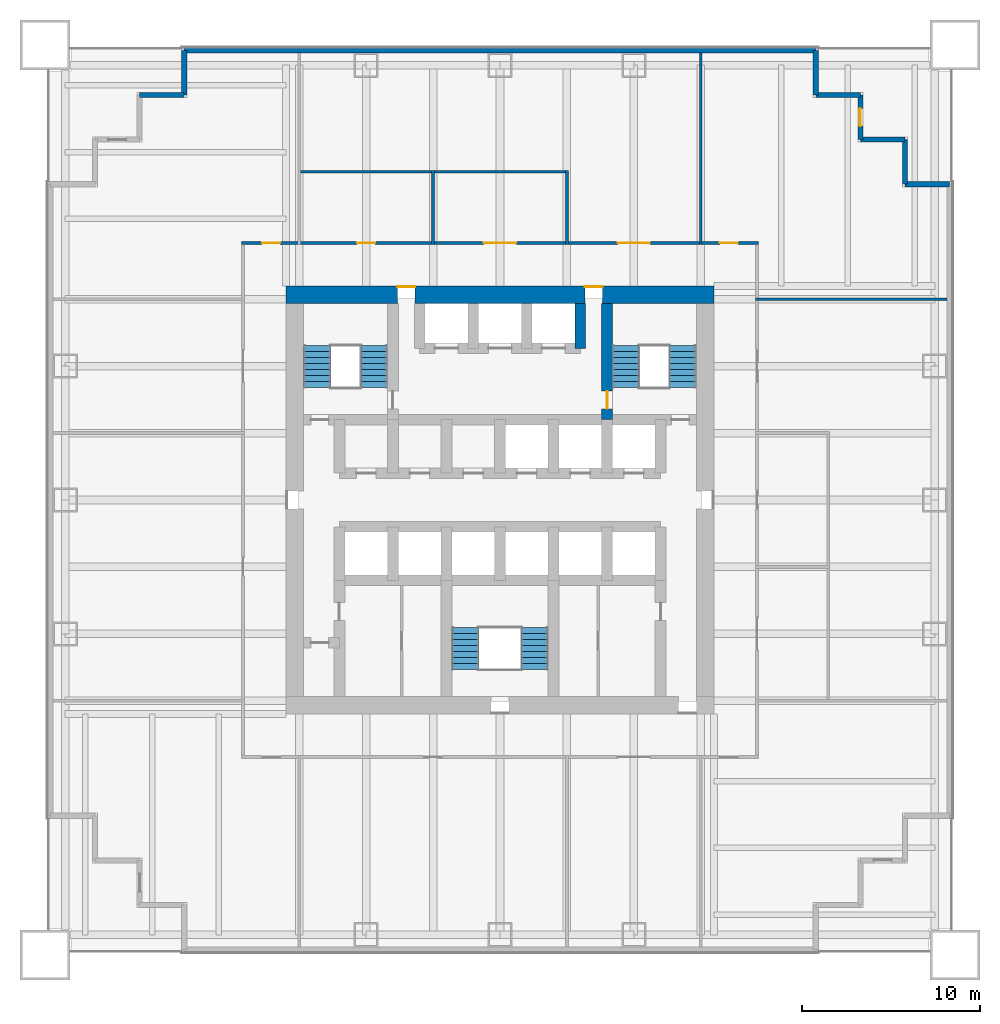
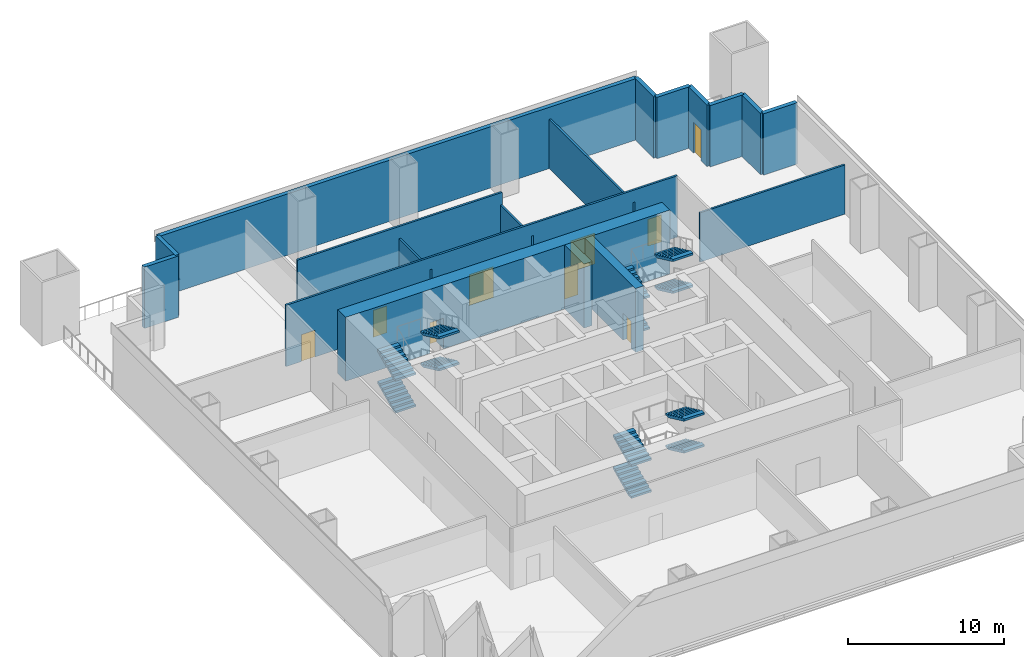
# One storey, part 4 of 6: 18 walls, 12 stair flights, 9 doors, 9 openings, 3 elements without a shape of their own.
"""IFC4 building model written with IfcOpenShell, lengths in metres."""

from ifc_helpers import new_model, si_unit, direction, frame, frame_2d, origin, place, context, subcontext, project, spatial, polyline, rectangle, outline, extrude, material, layer, layer_set, type_object, element, fill, aggregate, save


model = new_model("IFC4")

# Units and contexts
model_context = context("Model", 3, precision=1e-05, world=origin(), true_north=direction((0.0, 1.0)))
body_context = subcontext(model_context, "Body", "Model", "MODEL_VIEW")
ifc_project = project(units=[si_unit("LENGTHUNIT", "METRE"), si_unit("AREAUNIT", "SQUARE_METRE"), si_unit("VOLUMEUNIT", "CUBIC_METRE"), si_unit("PLANEANGLEUNIT", "RADIAN"), si_unit("MASSUNIT", "GRAM", prefix="KILO")], contexts=[model_context])

# Site, building, storey
site_placement = place(None, origin())
site = spatial("IfcSite", under=ifc_project, at=site_placement, CompositionType="ELEMENT")
building_placement = place(site_placement, origin())
building = spatial("IfcBuilding", under=site, at=building_placement, Name="Tarangal Relay Tower", CompositionType="ELEMENT")
storey_placement = place(building_placement, frame((0.0, 0.0, 48.39990234375)))
storey = spatial("IfcBuildingStorey", under=building, at=storey_placement, Name="L09", CompositionType="ELEMENT", Elevation=48.39990234375)

# Wall, opening, door
ifc_material_1 = material(Name="Concrete fc' 60 MPa", Category="concrete")
ifc_layer_1 = layer(ifc_material_1, 0.60009765625)
ifc_layer_set_1 = layer_set([ifc_layer_1], Name="Core inner wall 600")
wall_type_1 = type_object("IfcWallType", Name="Core inner wall 600", PredefinedType="SHEAR", material=ifc_layer_set_1)
wall_1_placement = place(storey_placement, frame((6.0, 4.5, 0.0), z_axis=(0.0, 0.0, 1.0), x_axis=(0.0, 1.0, 0.0)))
wall_1 = element("IfcWall", 1, at=wall_1_placement, inside=storey, type_object=wall_type_1, Name="Core wall X6 L09", PredefinedType="SHEAR", context=body_context, shape_type="SweptSolid", body=[
    extrude(rectangle(XDim=6.5, YDim=0.60009765625, at=frame_2d((3.25, 0.0))), origin(), (0.0, 0.0, 1.0), 5.0),
])
opening_1_placement = place(wall_1_placement, frame((0.60009765625, 0.0, 0.0)))
opening_1 = element("IfcOpeningElement", 2, at=opening_1_placement, cuts=wall_1, Name="Opening FD1", PredefinedType="OPENING", context=body_context, shape_type="SweptSolid", body=[
    extrude(rectangle(XDim=1.0, YDim=2.10009765625, at=frame_2d((0.5, 1.050048828125))), frame((0.0, 0.31005859375, 0.0), z_axis=(0.0, -1.0, 0.0), x_axis=(1.0, 0.0, 0.0)), (0.0, 0.0, 1.0), 0.6201171875),
])
ifc_material_2 = material(Name="Steel door with hardwood frame", Category="steel")
door_type_1 = type_object("IfcDoorType", Name="Fire door 1000 x 2100", OperationType="SINGLE_SWING_LEFT", PredefinedType="DOOR", material=ifc_material_2)
door_1_placement = place(opening_1_placement, origin())
door_1 = element("IfcDoor", 3, at=door_1_placement, inside=storey, type_object=door_type_1, Name="Stair ST-B door from fire-fighting lobby L09", OperationType="SINGLE_SWING_LEFT", OverallHeight=2.10009765625, OverallWidth=1.0, PredefinedType="DOOR", context=body_context, shape_type="SweptSolid", body=[
    extrude(rectangle(XDim=1.0, YDim=2.10009765625, at=frame_2d((0.5, 1.050048828125))), frame((0.0, 0.02490234375, 0.0), z_axis=(0.0, -1.0, 0.0), x_axis=(1.0, 0.0, 0.0)), (0.0, 0.0, 1.0), 0.050048828125),
])
fill(opening_1, door_1)

# Wall
wall_2_placement = place(storey_placement, frame((4.5, 8.5, 0.0), z_axis=(0.0, 0.0, 1.0), x_axis=(0.0, 1.0, 0.0)))
element("IfcWall", 4, at=wall_2_placement, inside=storey, type_object=wall_type_1, Name="Core wall X45 L09", PredefinedType="SHEAR", context=body_context, shape_type="SweptSolid", body=[
    extrude(rectangle(XDim=2.5, YDim=0.60009765625, at=frame_2d((1.25, 0.0))), origin(), (0.0, 0.0, 1.0), 5.0),
])

# Wall, openings, doors
ifc_layer_2 = layer(ifc_material_1, 1.0)
ifc_layer_set_2 = layer_set([ifc_layer_2], Name="Core wall 1000")
wall_type_2 = type_object("IfcWallType", Name="Core wall 1000", PredefinedType="SHEAR", material=ifc_layer_set_2)
wall_3_placement = place(storey_placement, frame((-12.0, 11.5, 0.0), z_axis=(0.0, 0.0, 1.0), x_axis=(1.0, 0.0, 0.0)))
wall_3 = element("IfcWall", 5, at=wall_3_placement, inside=storey, type_object=wall_type_2, Name="Core wall N L09", PredefinedType="SHEAR", context=body_context, shape_type="SweptSolid", body=[
    extrude(rectangle(XDim=24.0, YDim=1.0, at=frame_2d((12.0, 0.0))), origin(), (0.0, 0.0, 1.0), 5.0),
])
opening_2_placement = place(wall_3_placement, frame((6.25, 0.0, 0.0)))
opening_2 = element("IfcOpeningElement", 6, at=opening_2_placement, cuts=wall_3, Name="Opening FD3", PredefinedType="OPENING", context=body_context, shape_type="SweptSolid", body=[
    extrude(rectangle(XDim=1.0, YDim=2.39990234375, at=frame_2d((0.5, 1.199951171875))), frame((0.0, 0.510009765625, 0.0), z_axis=(0.0, -1.0, 0.0), x_axis=(1.0, 0.0, 0.0)), (0.0, 0.0, 1.0), 1.02001953125),
])
opening_3_placement = place(wall_3_placement, frame((16.75, 0.0, 0.0)))
opening_3 = element("IfcOpeningElement", 7, at=opening_3_placement, cuts=wall_3, Name="Opening FD3", PredefinedType="OPENING", context=body_context, shape_type="SweptSolid", body=[
    extrude(rectangle(XDim=1.0, YDim=2.39990234375, at=frame_2d((0.5, 1.199951171875))), frame((0.0, 0.510009765625, 0.0), z_axis=(0.0, -1.0, 0.0), x_axis=(1.0, 0.0, 0.0)), (0.0, 0.0, 1.0), 1.02001953125),
])
door_type_2 = type_object("IfcDoorType", Name="Fire door 1000 x 2400 core entry", OperationType="SINGLE_SWING_RIGHT", PredefinedType="DOOR", material=ifc_material_2)
door_2_placement = place(opening_2_placement, origin())
door_2 = element("IfcDoor", 8, at=door_2_placement, inside=storey, type_object=door_type_2, Name="Core entry door north west L09", OperationType="SINGLE_SWING_RIGHT", OverallHeight=2.39990234375, OverallWidth=1.0, PredefinedType="DOOR", context=body_context, shape_type="SweptSolid", body=[
    extrude(rectangle(XDim=1.0, YDim=2.39990234375, at=frame_2d((0.5, 1.199951171875))), frame((0.0, 0.48486328125, 0.0), z_axis=(0.0, -1.0, 0.0), x_axis=(1.0, 0.0, 0.0)), (0.0, 0.0, 1.0), 0.050048828125),
])
fill(opening_2, door_2)
door_3_placement = place(opening_3_placement, origin())
door_3 = element("IfcDoor", 9, at=door_3_placement, inside=storey, type_object=door_type_2, Name="Core entry door north east L09", OperationType="SINGLE_SWING_RIGHT", OverallHeight=2.39990234375, OverallWidth=1.0, PredefinedType="DOOR", context=body_context, shape_type="SweptSolid", body=[
    extrude(rectangle(XDim=1.0, YDim=2.39990234375, at=frame_2d((0.5, 1.199951171875))), frame((0.0, 0.48486328125, 0.0), z_axis=(0.0, -1.0, 0.0), x_axis=(1.0, 0.0, 0.0)), (0.0, 0.0, 1.0), 0.050048828125),
])
fill(opening_3, door_3)

# Walls
ifc_material_3 = material(Name="Insulated precast concrete fc' 40 MPa", Category="concrete")
ifc_layer_3 = layer(ifc_material_3, 0.300048828125)
ifc_layer_set_3 = layer_set([ifc_layer_3], Name="Insulated precast concrete fc' 40 MPa")
wall_type_3 = type_object("IfcWallType", Name="Facade wall precast 300", PredefinedType="SOLIDWALL", material=ifc_layer_set_3)
wall_4_placement = place(storey_placement, frame((-17.699951171875, 25.199951171875, 0.0), z_axis=(0.0, 0.0, 1.0), x_axis=(1.0, 0.0, 0.0)))
element("IfcWall", 10, at=wall_4_placement, inside=storey, type_object=wall_type_3, Name="Facade wall N facade L09", PredefinedType="SOLIDWALL", context=body_context, shape_type="SweptSolid", body=[
    extrude(rectangle(XDim=35.39990234375, YDim=0.300048828125, at=frame_2d((17.699951171875, 0.0))), origin(), (0.0, 0.0, 1.0), 4.800048828125),
])
for number, where, z_axis, x_axis, name in (
    (11, (17.699951171875, 25.199951171875, 0.0), (0.0, 0.0, 1.0), (0.0, -1.0, 0.0), "Facade wall N facade L09"),
    (12, (17.699951171875, 22.699951171875, 0.0), (0.0, 0.0, 1.0), (1.0, 0.0, 0.0), "Facade wall N facade L09"),
):
    element("IfcWall", number, at=place(storey_placement, frame(where, z_axis=z_axis, x_axis=x_axis)), inside=storey, type_object=wall_type_3, Name=name, PredefinedType="SOLIDWALL", context=body_context, shape_type="SweptSolid", body=[
        extrude(rectangle(XDim=2.5, YDim=0.300048828125, at=frame_2d((1.25, 0.0))), origin(), (0.0, 0.0, 1.0), 4.800048828125),
    ])

# Wall, opening, door
wall_5_placement = place(storey_placement, frame((20.199951171875, 22.699951171875, 0.0), z_axis=(0.0, 0.0, 1.0), x_axis=(0.0, -1.0, 0.0)))
wall_5 = element("IfcWall", 13, at=wall_5_placement, inside=storey, type_object=wall_type_3, Name="Facade wall N facade L09", PredefinedType="SOLIDWALL", context=body_context, shape_type="SweptSolid", body=[
    extrude(rectangle(XDim=2.5, YDim=0.300048828125, at=frame_2d((1.25, 0.0))), origin(), (0.0, 0.0, 1.0), 4.800048828125),
])
opening_4_placement = place(wall_5_placement, frame((0.75, 0.0, 0.0)))
opening_4 = element("IfcOpeningElement", 14, at=opening_4_placement, cuts=wall_5, Name="Opening TD1", PredefinedType="OPENING", context=body_context, shape_type="SweptSolid", body=[
    extrude(rectangle(XDim=1.0, YDim=2.39990234375, at=frame_2d((0.5, 1.199951171875))), frame((0.0, 0.159912109375, 0.0), z_axis=(0.0, -1.0, 0.0), x_axis=(1.0, 0.0, 0.0)), (0.0, 0.0, 1.0), 0.320068359375),
])
ifc_material_4 = material(Name="Aluminium glazed door", Category="aluminium")
door_type_3 = type_object("IfcDoorType", Name="Terrace door 1000 x 2400", OperationType="SINGLE_SWING_RIGHT", PredefinedType="DOOR", material=ifc_material_4)
door_4_placement = place(opening_4_placement, origin())
door_4 = element("IfcDoor", 15, at=door_4_placement, inside=storey, type_object=door_type_3, Name="Terrace door TD1 NE L09", OperationType="SINGLE_SWING_RIGHT", OverallHeight=2.39990234375, OverallWidth=1.0, PredefinedType="DOOR", context=body_context, shape_type="SweptSolid", body=[
    extrude(rectangle(XDim=1.0, YDim=2.39990234375, at=frame_2d((0.5, 1.199951171875))), frame((0.0, 0.02490234375, 0.0), z_axis=(0.0, -1.0, 0.0), x_axis=(1.0, 0.0, 0.0)), (0.0, 0.0, 1.0), 0.050048828125),
])
fill(opening_4, door_4)

# Walls
for number, where, z_axis, x_axis, name in (
    (16, (20.199951171875, 20.199951171875, 0.0), (0.0, 0.0, 1.0), (1.0, 0.0, 0.0), "Facade wall N facade L09"),
    (17, (22.699951171875, 20.199951171875, 0.0), (0.0, 0.0, 1.0), (0.0, -1.0, 0.0), "Facade wall N facade L09"),
    (18, (22.699951171875, 17.699951171875, 0.0), (0.0, 0.0, 1.0), (1.0, 0.0, 0.0), "Facade wall N facade L09"),
    (19, (-20.199951171875, 22.699951171875, 0.0), (0.0, 0.0, 1.0), (1.0, 0.0, 0.0), "Facade wall W facade L09"),
    (20, (-17.699951171875, 22.699951171875, 0.0), (0.0, 0.0, 1.0), (0.0, 1.0, 0.0), "Facade wall W facade L09"),
):
    element("IfcWall", number, at=place(storey_placement, frame(where, z_axis=z_axis, x_axis=x_axis)), inside=storey, type_object=wall_type_3, Name=name, PredefinedType="SOLIDWALL", context=body_context, shape_type="SweptSolid", body=[
        extrude(rectangle(XDim=2.5, YDim=0.300048828125, at=frame_2d((1.25, 0.0))), origin(), (0.0, 0.0, 1.0), 4.800048828125),
    ])
ifc_material_5 = material(Name="Gypsum board on steel studs", Category="steel")
ifc_layer_4 = layer(ifc_material_5, 0.14990234375)
ifc_layer_set_4 = layer_set([ifc_layer_4], Name="Partition 150")
wall_type_4 = type_object("IfcWallType", Name="Partition 150", PredefinedType="PARTITIONING", material=ifc_layer_set_4)
wall_6_placement = place(storey_placement, frame((14.324951171875, 11.25, 0.0), z_axis=(0.0, 0.0, 1.0), x_axis=(1.0, 0.0, 0.0)))
element("IfcWall", 21, at=wall_6_placement, inside=storey, type_object=wall_type_4, Name="Partition PT1 L09", PredefinedType="PARTITIONING", context=body_context, shape_type="SweptSolid", body=[
    extrude(rectangle(XDim=10.72509765625, YDim=0.14990234375, at=frame_2d((5.362548828125, 0.0))), origin(), (0.0, 0.0, 1.0), 3.852783203125),
])

# Wall, openings, doors
wall_7_placement = place(storey_placement, frame((-14.47509765625, 14.39990234375, 0.0), z_axis=(0.0, 0.0, 1.0), x_axis=(1.0, 0.0, 0.0)))
wall_7 = element("IfcWall", 22, at=wall_7_placement, inside=storey, type_object=wall_type_4, Name="Partition PT1 L09", PredefinedType="PARTITIONING", context=body_context, shape_type="SweptSolid", body=[
    extrude(rectangle(XDim=28.9501953125, YDim=0.14990234375, at=frame_2d((14.47509765625, 0.0))), origin(), (0.0, 0.0, 1.0), 4.800048828125),
])
opening_5_placement = place(wall_7_placement, frame((6.47509765625, 0.0, 0.0)))
opening_5 = element("IfcOpeningElement", 23, at=opening_5_placement, cuts=wall_7, Name="Opening D2", PredefinedType="OPENING", context=body_context, shape_type="SweptSolid", body=[
    extrude(rectangle(XDim=1.0, YDim=2.10009765625, at=frame_2d((0.5, 1.050048828125))), frame((0.0, 0.0849609375, 0.0), z_axis=(0.0, -1.0, 0.0), x_axis=(1.0, 0.0, 0.0)), (0.0, 0.0, 1.0), 0.169921875),
])
opening_6_placement = place(wall_7_placement, frame((21.074951171875, 0.0, 0.0)))
opening_6 = element("IfcOpeningElement", 24, at=opening_6_placement, cuts=wall_7, Name="Opening DD1", PredefinedType="OPENING", context=body_context, shape_type="SweptSolid", body=[
    extrude(rectangle(XDim=1.800048828125, YDim=2.39990234375, at=frame_2d((0.89990234375, 1.199951171875))), frame((0.0, 0.0849609375, 0.0), z_axis=(0.0, -1.0, 0.0), x_axis=(1.0, 0.0, 0.0)), (0.0, 0.0, 1.0), 0.169921875),
])
opening_7_placement = place(wall_7_placement, frame((13.574951171875, 0.0, 0.0)))
opening_7 = element("IfcOpeningElement", 25, at=opening_7_placement, cuts=wall_7, Name="Opening DD1", PredefinedType="OPENING", context=body_context, shape_type="SweptSolid", body=[
    extrude(rectangle(XDim=1.800048828125, YDim=2.39990234375, at=frame_2d((0.89990234375, 1.199951171875))), frame((0.0, 0.0849609375, 0.0), z_axis=(0.0, -1.0, 0.0), x_axis=(1.0, 0.0, 0.0)), (0.0, 0.0, 1.0), 0.169921875),
])
opening_8_placement = place(wall_7_placement, frame((26.800048828125, 0.0, 0.0)))
opening_8 = element("IfcOpeningElement", 26, at=opening_8_placement, cuts=wall_7, Name="Opening D2", PredefinedType="OPENING", context=body_context, shape_type="SweptSolid", body=[
    extrude(rectangle(XDim=1.0, YDim=2.10009765625, at=frame_2d((0.5, 1.050048828125))), frame((0.0, 0.0849609375, 0.0), z_axis=(0.0, -1.0, 0.0), x_axis=(1.0, 0.0, 0.0)), (0.0, 0.0, 1.0), 0.169921875),
])
opening_9_placement = place(wall_7_placement, frame((1.14990234375, 0.0, 0.0)))
opening_9 = element("IfcOpeningElement", 27, at=opening_9_placement, cuts=wall_7, Name="Opening D2", PredefinedType="OPENING", context=body_context, shape_type="SweptSolid", body=[
    extrude(rectangle(XDim=1.0, YDim=2.10009765625, at=frame_2d((0.5, 1.050048828125))), frame((0.0, 0.0849609375, 0.0), z_axis=(0.0, -1.0, 0.0), x_axis=(1.0, 0.0, 0.0)), (0.0, 0.0, 1.0), 0.169921875),
])
ifc_material_6 = material(Name="Hardwood door", Category="wood")
door_type_4 = type_object("IfcDoorType", Name="Door 1000 x 2100", OperationType="SINGLE_SWING_LEFT", PredefinedType="DOOR", material=ifc_material_6)
door_5_placement = place(opening_5_placement, origin())
door_5 = element("IfcDoor", 28, at=door_5_placement, inside=storey, type_object=door_type_4, Name="Door D2 to customer meeting room L09-02", OperationType="SINGLE_SWING_LEFT", OverallHeight=2.10009765625, OverallWidth=1.0, PredefinedType="DOOR", context=body_context, shape_type="SweptSolid", body=[
    extrude(rectangle(XDim=1.0, YDim=2.10009765625, at=frame_2d((0.5, 1.050048828125))), frame((0.0, 0.02490234375, 0.0), z_axis=(0.0, -1.0, 0.0), x_axis=(1.0, 0.0, 0.0)), (0.0, 0.0, 1.0), 0.050048828125),
])
fill(opening_5, door_5)
door_6_placement = place(opening_8_placement, origin())
door_6 = element("IfcDoor", 29, at=door_6_placement, inside=storey, type_object=door_type_4, Name="Door D2 to customer office L09-12", OperationType="SINGLE_SWING_LEFT", OverallHeight=2.10009765625, OverallWidth=1.0, PredefinedType="DOOR", context=body_context, shape_type="SweptSolid", body=[
    extrude(rectangle(XDim=1.0, YDim=2.10009765625, at=frame_2d((0.5, 1.050048828125))), frame((0.0, 0.02490234375, 0.0), z_axis=(0.0, -1.0, 0.0), x_axis=(1.0, 0.0, 0.0)), (0.0, 0.0, 1.0), 0.050048828125),
])
fill(opening_8, door_6)
door_7_placement = place(opening_9_placement, origin())
door_7 = element("IfcDoor", 30, at=door_7_placement, inside=storey, type_object=door_type_4, Name="Door D2 to network operations room L09-15", OperationType="SINGLE_SWING_LEFT", OverallHeight=2.10009765625, OverallWidth=1.0, PredefinedType="DOOR", context=body_context, shape_type="SweptSolid", body=[
    extrude(rectangle(XDim=1.0, YDim=2.10009765625, at=frame_2d((0.5, 1.050048828125))), frame((0.0, 0.02490234375, 0.0), z_axis=(0.0, -1.0, 0.0), x_axis=(1.0, 0.0, 0.0)), (0.0, 0.0, 1.0), 0.050048828125),
])
fill(opening_9, door_7)
door_type_5 = type_object("IfcDoorType", Name="Equipment double door 1800 x 2400", OperationType="DOUBLE_DOOR_SINGLE_SWING", PredefinedType="DOOR", material=ifc_material_2)
door_8_placement = place(opening_6_placement, origin())
door_8 = element("IfcDoor", 31, at=door_8_placement, inside=storey, type_object=door_type_5, Name="Door DD1 to data hall L09-03", OperationType="DOUBLE_DOOR_SINGLE_SWING", OverallHeight=2.39990234375, OverallWidth=1.800048828125, PredefinedType="DOOR", context=body_context, shape_type="SweptSolid", body=[
    extrude(rectangle(XDim=1.800048828125, YDim=2.39990234375, at=frame_2d((0.89990234375, 1.199951171875))), frame((0.0, 0.02490234375, 0.0), z_axis=(0.0, -1.0, 0.0), x_axis=(1.0, 0.0, 0.0)), (0.0, 0.0, 1.0), 0.050048828125),
])
fill(opening_6, door_8)
door_9_placement = place(opening_7_placement, origin())
door_9 = element("IfcDoor", 32, at=door_9_placement, inside=storey, type_object=door_type_5, Name="Door DD1 to network equipment room L09-04", OperationType="DOUBLE_DOOR_SINGLE_SWING", OverallHeight=2.39990234375, OverallWidth=1.800048828125, PredefinedType="DOOR", context=body_context, shape_type="SweptSolid", body=[
    extrude(rectangle(XDim=1.800048828125, YDim=2.39990234375, at=frame_2d((0.89990234375, 1.199951171875))), frame((0.0, 0.02490234375, 0.0), z_axis=(0.0, -1.0, 0.0), x_axis=(1.0, 0.0, 0.0)), (0.0, 0.0, 1.0), 0.050048828125),
])
fill(opening_7, door_9)

# Walls
wall_8_placement = place(storey_placement, frame((-11.324951171875, 18.39990234375, 0.0), z_axis=(0.0, 0.0, 1.0), x_axis=(1.0, 0.0, 0.0)))
element("IfcWall", 33, at=wall_8_placement, inside=storey, type_object=wall_type_4, Name="Partition PT1 L09", PredefinedType="PARTITIONING", context=body_context, shape_type="SweptSolid", body=[
    extrude(rectangle(XDim=15.14990234375, YDim=0.14990234375, at=frame_2d((7.574951171875, 0.0))), origin(), (0.0, 0.0, 1.0), 4.800048828125),
])
for number, where, z_axis, x_axis, name in (
    (34, (-3.75, 14.324951171875, 0.0), (0.0, 0.0, 1.0), (0.0, 1.0, 0.0), "Partition PT1 L09"),
    (35, (3.75, 14.324951171875, 0.0), (0.0, 0.0, 1.0), (0.0, 1.0, 0.0), "Partition PT1 L09"),
):
    element("IfcWall", number, at=place(storey_placement, frame(where, z_axis=z_axis, x_axis=x_axis)), inside=storey, type_object=wall_type_4, Name=name, PredefinedType="PARTITIONING", context=body_context, shape_type="SweptSolid", body=[
        extrude(rectangle(XDim=4.150146484375, YDim=0.14990234375, at=frame_2d((2.0751953125, 0.0))), origin(), (0.0, 0.0, 1.0), 3.852783203125),
    ])
wall_9_placement = place(storey_placement, frame((11.25, 14.324951171875, 0.0), z_axis=(0.0, 0.0, 1.0), x_axis=(0.0, 1.0, 0.0)))
element("IfcWall", 36, at=wall_9_placement, inside=storey, type_object=wall_type_4, Name="Partition PT1 L09", PredefinedType="PARTITIONING", context=body_context, shape_type="SweptSolid", body=[
    extrude(rectangle(XDim=10.72509765625, YDim=0.14990234375, at=frame_2d((5.362548828125, 0.0))), origin(), (0.0, 0.0, 1.0), 3.852783203125),
])

# Stair, stair flights
ifc_material_7 = material(Name="Steel ASTM A992 stair flight", Category="steel")
stair_type = type_object("IfcStairType", Name="Core stair 1500", PredefinedType="HALF_TURN_STAIR", material=ifc_material_7)
stair_1_placement = place(storey_placement, origin())
stair_1 = element("IfcStair", 37, at=stair_1_placement, inside=storey, type_object=stair_type, Name="Stair ST-A L09", PredefinedType="HALF_TURN_STAIR")
stair_flight_type = type_object("IfcStairFlightType", Name="Steel stair flight 1500, 8 risers 156 x 335", PredefinedType="STRAIGHT", material=ifc_material_7)
stair_flight_1_placement = place(storey_placement, frame((-10.25, 6.300048828125, 0.0), z_axis=(0.0, 0.0, 1.0), x_axis=(0.0, 1.0, 0.0)))
stair_flight_1 = element("IfcStairFlight", 38, at=stair_flight_1_placement, type_object=stair_flight_type, Name="ST-A flight 1", NumberOfRisers=8, NumberOfTreads=7, PredefinedType="STRAIGHT", RiserHeight=0.15625, TreadLength=0.335, context=body_context, shape_type="SweptSolid", body=[
    extrude(outline(polyline([(0.0, 0.0), (0.0, 0.15625), (0.3349609375, 0.15625), (0.3349609375, 0.3125), (0.669921875, 0.3125), (0.669921875, 0.46875), (1.0048828125, 0.46875), (1.0048828125, 0.625), (1.340087890625, 0.625), (1.340087890625, 0.78125), (1.675048828125, 0.78125), (1.675048828125, 0.9375), (2.010009765625, 0.9375), (2.010009765625, 1.09375), (2.344970703125, 1.09375), (2.344970703125, 1.25), (2.344970703125, 0.92822265625), (0.354736328125, 0.0), (0.0, 0.0)])), frame((0.0, 0.75, 0.0), z_axis=(0.0, -1.0, 0.0), x_axis=(1.0, 0.0, 0.0)), (0.0, 0.0, 1.0), 1.5),
])
stair_flight_2_placement = place(storey_placement, frame((-7.050048828125, 8.64501953125, 1.25), z_axis=(0.0, 0.0, 1.0), x_axis=(0.0, -1.0, 0.0)))
stair_flight_2 = element("IfcStairFlight", 39, at=stair_flight_2_placement, type_object=stair_flight_type, Name="ST-A flight 2", NumberOfRisers=8, NumberOfTreads=7, PredefinedType="STRAIGHT", RiserHeight=0.15625, TreadLength=0.335, context=body_context, shape_type="SweptSolid", body=[
    extrude(outline(polyline([(0.0, 0.0), (0.0, 0.15625), (0.3349609375, 0.15625), (0.3349609375, 0.3125), (0.669921875, 0.3125), (0.669921875, 0.46875), (1.0048828125, 0.46875), (1.0048828125, 0.625), (1.340087890625, 0.625), (1.340087890625, 0.78125), (1.675048828125, 0.78125), (1.675048828125, 0.9375), (2.010009765625, 0.9375), (2.010009765625, 1.09375), (2.344970703125, 1.09375), (2.344970703125, 1.25), (2.344970703125, 0.92822265625), (0.354736328125, 0.0), (0.0, 0.0)])), frame((0.0, 0.75, 0.0), z_axis=(0.0, -1.0, 0.0), x_axis=(1.0, 0.0, 0.0)), (0.0, 0.0, 1.0), 1.5),
])
stair_flight_3_placement = place(storey_placement, frame((-10.25, 6.300048828125, 2.5), z_axis=(0.0, 0.0, 1.0), x_axis=(0.0, 1.0, 0.0)))
stair_flight_3 = element("IfcStairFlight", 40, at=stair_flight_3_placement, type_object=stair_flight_type, Name="ST-A flight 3", NumberOfRisers=8, NumberOfTreads=7, PredefinedType="STRAIGHT", RiserHeight=0.15625, TreadLength=0.335, context=body_context, shape_type="SweptSolid", body=[
    extrude(outline(polyline([(0.0, 0.0), (0.0, 0.15625), (0.3349609375, 0.15625), (0.3349609375, 0.3125), (0.669921875, 0.3125), (0.669921875, 0.46875), (1.0048828125, 0.46875), (1.0048828125, 0.625), (1.340087890625, 0.625), (1.340087890625, 0.78125), (1.675048828125, 0.78125), (1.675048828125, 0.9375), (2.010009765625, 0.9375), (2.010009765625, 1.09375), (2.344970703125, 1.09375), (2.344970703125, 1.25), (2.344970703125, 0.92822265625), (0.354736328125, 0.0), (0.0, 0.0)])), frame((0.0, 0.75, 0.0), z_axis=(0.0, -1.0, 0.0), x_axis=(1.0, 0.0, 0.0)), (0.0, 0.0, 1.0), 1.5),
])
stair_flight_4_placement = place(storey_placement, frame((-7.050048828125, 8.64501953125, 3.75), z_axis=(0.0, 0.0, 1.0), x_axis=(0.0, -1.0, 0.0)))
stair_flight_4 = element("IfcStairFlight", 41, at=stair_flight_4_placement, type_object=stair_flight_type, Name="ST-A flight 4", NumberOfRisers=8, NumberOfTreads=7, PredefinedType="STRAIGHT", RiserHeight=0.15625, TreadLength=0.335, context=body_context, shape_type="SweptSolid", body=[
    extrude(outline(polyline([(0.0, 0.0), (0.0, 0.15625), (0.3349609375, 0.15625), (0.3349609375, 0.3125), (0.669921875, 0.3125), (0.669921875, 0.46875), (1.0048828125, 0.46875), (1.0048828125, 0.625), (1.340087890625, 0.625), (1.340087890625, 0.78125), (1.675048828125, 0.78125), (1.675048828125, 0.9375), (2.010009765625, 0.9375), (2.010009765625, 1.09375), (2.344970703125, 1.09375), (2.344970703125, 1.25), (2.344970703125, 0.92822265625), (0.354736328125, 0.0), (0.0, 0.0)])), frame((0.0, 0.75, 0.0), z_axis=(0.0, -1.0, 0.0), x_axis=(1.0, 0.0, 0.0)), (0.0, 0.0, 1.0), 1.5),
])
aggregate(stair_1, [stair_flight_1, stair_flight_2, stair_flight_3, stair_flight_4])

stair_2_placement = place(storey_placement, origin())
stair_2 = element("IfcStair", 42, at=stair_2_placement, inside=storey, type_object=stair_type, Name="Stair ST-B L09", PredefinedType="HALF_TURN_STAIR")
stair_flight_5_placement = place(storey_placement, frame((7.050048828125, 6.300048828125, 0.0), z_axis=(0.0, 0.0, 1.0), x_axis=(0.0, 1.0, 0.0)))
stair_flight_5 = element("IfcStairFlight", 43, at=stair_flight_5_placement, type_object=stair_flight_type, Name="ST-B flight 1", NumberOfRisers=8, NumberOfTreads=7, PredefinedType="STRAIGHT", RiserHeight=0.15625, TreadLength=0.335, context=body_context, shape_type="SweptSolid", body=[
    extrude(outline(polyline([(0.0, 0.0), (0.0, 0.15625), (0.3349609375, 0.15625), (0.3349609375, 0.3125), (0.669921875, 0.3125), (0.669921875, 0.46875), (1.0048828125, 0.46875), (1.0048828125, 0.625), (1.340087890625, 0.625), (1.340087890625, 0.78125), (1.675048828125, 0.78125), (1.675048828125, 0.9375), (2.010009765625, 0.9375), (2.010009765625, 1.09375), (2.344970703125, 1.09375), (2.344970703125, 1.25), (2.344970703125, 0.92822265625), (0.354736328125, 0.0), (0.0, 0.0)])), frame((0.0, 0.75, 0.0), z_axis=(0.0, -1.0, 0.0), x_axis=(1.0, 0.0, 0.0)), (0.0, 0.0, 1.0), 1.5),
])
stair_flight_6_placement = place(storey_placement, frame((10.25, 8.64501953125, 1.25), z_axis=(0.0, 0.0, 1.0), x_axis=(0.0, -1.0, 0.0)))
stair_flight_6 = element("IfcStairFlight", 44, at=stair_flight_6_placement, type_object=stair_flight_type, Name="ST-B flight 2", NumberOfRisers=8, NumberOfTreads=7, PredefinedType="STRAIGHT", RiserHeight=0.15625, TreadLength=0.335, context=body_context, shape_type="SweptSolid", body=[
    extrude(outline(polyline([(0.0, 0.0), (0.0, 0.15625), (0.3349609375, 0.15625), (0.3349609375, 0.3125), (0.669921875, 0.3125), (0.669921875, 0.46875), (1.0048828125, 0.46875), (1.0048828125, 0.625), (1.340087890625, 0.625), (1.340087890625, 0.78125), (1.675048828125, 0.78125), (1.675048828125, 0.9375), (2.010009765625, 0.9375), (2.010009765625, 1.09375), (2.344970703125, 1.09375), (2.344970703125, 1.25), (2.344970703125, 0.92822265625), (0.354736328125, 0.0), (0.0, 0.0)])), frame((0.0, 0.75, 0.0), z_axis=(0.0, -1.0, 0.0), x_axis=(1.0, 0.0, 0.0)), (0.0, 0.0, 1.0), 1.5),
])
stair_flight_7_placement = place(storey_placement, frame((7.050048828125, 6.300048828125, 2.5), z_axis=(0.0, 0.0, 1.0), x_axis=(0.0, 1.0, 0.0)))
stair_flight_7 = element("IfcStairFlight", 45, at=stair_flight_7_placement, type_object=stair_flight_type, Name="ST-B flight 3", NumberOfRisers=8, NumberOfTreads=7, PredefinedType="STRAIGHT", RiserHeight=0.15625, TreadLength=0.335, context=body_context, shape_type="SweptSolid", body=[
    extrude(outline(polyline([(0.0, 0.0), (0.0, 0.15625), (0.3349609375, 0.15625), (0.3349609375, 0.3125), (0.669921875, 0.3125), (0.669921875, 0.46875), (1.0048828125, 0.46875), (1.0048828125, 0.625), (1.340087890625, 0.625), (1.340087890625, 0.78125), (1.675048828125, 0.78125), (1.675048828125, 0.9375), (2.010009765625, 0.9375), (2.010009765625, 1.09375), (2.344970703125, 1.09375), (2.344970703125, 1.25), (2.344970703125, 0.92822265625), (0.354736328125, 0.0), (0.0, 0.0)])), frame((0.0, 0.75, 0.0), z_axis=(0.0, -1.0, 0.0), x_axis=(1.0, 0.0, 0.0)), (0.0, 0.0, 1.0), 1.5),
])
stair_flight_8_placement = place(storey_placement, frame((10.25, 8.64501953125, 3.75), z_axis=(0.0, 0.0, 1.0), x_axis=(0.0, -1.0, 0.0)))
stair_flight_8 = element("IfcStairFlight", 46, at=stair_flight_8_placement, type_object=stair_flight_type, Name="ST-B flight 4", NumberOfRisers=8, NumberOfTreads=7, PredefinedType="STRAIGHT", RiserHeight=0.15625, TreadLength=0.335, context=body_context, shape_type="SweptSolid", body=[
    extrude(outline(polyline([(0.0, 0.0), (0.0, 0.15625), (0.3349609375, 0.15625), (0.3349609375, 0.3125), (0.669921875, 0.3125), (0.669921875, 0.46875), (1.0048828125, 0.46875), (1.0048828125, 0.625), (1.340087890625, 0.625), (1.340087890625, 0.78125), (1.675048828125, 0.78125), (1.675048828125, 0.9375), (2.010009765625, 0.9375), (2.010009765625, 1.09375), (2.344970703125, 1.09375), (2.344970703125, 1.25), (2.344970703125, 0.92822265625), (0.354736328125, 0.0), (0.0, 0.0)])), frame((0.0, 0.75, 0.0), z_axis=(0.0, -1.0, 0.0), x_axis=(1.0, 0.0, 0.0)), (0.0, 0.0, 1.0), 1.5),
])
aggregate(stair_2, [stair_flight_5, stair_flight_6, stair_flight_7, stair_flight_8])

stair_3_placement = place(storey_placement, origin())
stair_3 = element("IfcStair", 47, at=stair_3_placement, inside=storey, type_object=stair_type, Name="Stair ST-C L09", PredefinedType="HALF_TURN_STAIR")
stair_flight_9_placement = place(storey_placement, frame((-1.949951171875, -9.5, 0.0), z_axis=(0.0, 0.0, 1.0), x_axis=(0.0, 1.0, 0.0)))
stair_flight_9 = element("IfcStairFlight", 48, at=stair_flight_9_placement, type_object=stair_flight_type, Name="ST-C flight 1", NumberOfRisers=8, NumberOfTreads=7, PredefinedType="STRAIGHT", RiserHeight=0.15625, TreadLength=0.335, context=body_context, shape_type="SweptSolid", body=[
    extrude(outline(polyline([(0.0, 0.0), (0.0, 0.15625), (0.3349609375, 0.15625), (0.3349609375, 0.3125), (0.669921875, 0.3125), (0.669921875, 0.46875), (1.0048828125, 0.46875), (1.0048828125, 0.625), (1.340087890625, 0.625), (1.340087890625, 0.78125), (1.675048828125, 0.78125), (1.675048828125, 0.9375), (2.010009765625, 0.9375), (2.010009765625, 1.09375), (2.344970703125, 1.09375), (2.344970703125, 1.25), (2.344970703125, 0.92822265625), (0.354736328125, 0.0), (0.0, 0.0)])), frame((0.0, 0.75, 0.0), z_axis=(0.0, -1.0, 0.0), x_axis=(1.0, 0.0, 0.0)), (0.0, 0.0, 1.0), 1.5),
])
stair_flight_10_placement = place(storey_placement, frame((1.949951171875, -7.155029296875, 1.25), z_axis=(0.0, 0.0, 1.0), x_axis=(0.0, -1.0, 0.0)))
stair_flight_10 = element("IfcStairFlight", 49, at=stair_flight_10_placement, type_object=stair_flight_type, Name="ST-C flight 2", NumberOfRisers=8, NumberOfTreads=7, PredefinedType="STRAIGHT", RiserHeight=0.15625, TreadLength=0.335, context=body_context, shape_type="SweptSolid", body=[
    extrude(outline(polyline([(0.0, 0.0), (0.0, 0.15625), (0.3349609375, 0.15625), (0.3349609375, 0.3125), (0.669921875, 0.3125), (0.669921875, 0.46875), (1.0048828125, 0.46875), (1.0048828125, 0.625), (1.340087890625, 0.625), (1.340087890625, 0.78125), (1.675048828125, 0.78125), (1.675048828125, 0.9375), (2.010009765625, 0.9375), (2.010009765625, 1.09375), (2.344970703125, 1.09375), (2.344970703125, 1.25), (2.344970703125, 0.92822265625), (0.354736328125, 0.0), (0.0, 0.0)])), frame((0.0, 0.75, 0.0), z_axis=(0.0, -1.0, 0.0), x_axis=(1.0, 0.0, 0.0)), (0.0, 0.0, 1.0), 1.5),
])
stair_flight_11_placement = place(storey_placement, frame((-1.949951171875, -9.5, 2.5), z_axis=(0.0, 0.0, 1.0), x_axis=(0.0, 1.0, 0.0)))
stair_flight_11 = element("IfcStairFlight", 50, at=stair_flight_11_placement, type_object=stair_flight_type, Name="ST-C flight 3", NumberOfRisers=8, NumberOfTreads=7, PredefinedType="STRAIGHT", RiserHeight=0.15625, TreadLength=0.335, context=body_context, shape_type="SweptSolid", body=[
    extrude(outline(polyline([(0.0, 0.0), (0.0, 0.15625), (0.3349609375, 0.15625), (0.3349609375, 0.3125), (0.669921875, 0.3125), (0.669921875, 0.46875), (1.0048828125, 0.46875), (1.0048828125, 0.625), (1.340087890625, 0.625), (1.340087890625, 0.78125), (1.675048828125, 0.78125), (1.675048828125, 0.9375), (2.010009765625, 0.9375), (2.010009765625, 1.09375), (2.344970703125, 1.09375), (2.344970703125, 1.25), (2.344970703125, 0.92822265625), (0.354736328125, 0.0), (0.0, 0.0)])), frame((0.0, 0.75, 0.0), z_axis=(0.0, -1.0, 0.0), x_axis=(1.0, 0.0, 0.0)), (0.0, 0.0, 1.0), 1.5),
])
stair_flight_12_placement = place(storey_placement, frame((1.949951171875, -7.155029296875, 3.75), z_axis=(0.0, 0.0, 1.0), x_axis=(0.0, -1.0, 0.0)))
stair_flight_12 = element("IfcStairFlight", 51, at=stair_flight_12_placement, type_object=stair_flight_type, Name="ST-C flight 4", NumberOfRisers=8, NumberOfTreads=7, PredefinedType="STRAIGHT", RiserHeight=0.15625, TreadLength=0.335, context=body_context, shape_type="SweptSolid", body=[
    extrude(outline(polyline([(0.0, 0.0), (0.0, 0.15625), (0.3349609375, 0.15625), (0.3349609375, 0.3125), (0.669921875, 0.3125), (0.669921875, 0.46875), (1.0048828125, 0.46875), (1.0048828125, 0.625), (1.340087890625, 0.625), (1.340087890625, 0.78125), (1.675048828125, 0.78125), (1.675048828125, 0.9375), (2.010009765625, 0.9375), (2.010009765625, 1.09375), (2.344970703125, 1.09375), (2.344970703125, 1.25), (2.344970703125, 0.92822265625), (0.354736328125, 0.0), (0.0, 0.0)])), frame((0.0, 0.75, 0.0), z_axis=(0.0, -1.0, 0.0), x_axis=(1.0, 0.0, 0.0)), (0.0, 0.0, 1.0), 1.5),
])
aggregate(stair_3, [stair_flight_9, stair_flight_10, stair_flight_11, stair_flight_12])

save(model, "model.ifc")
